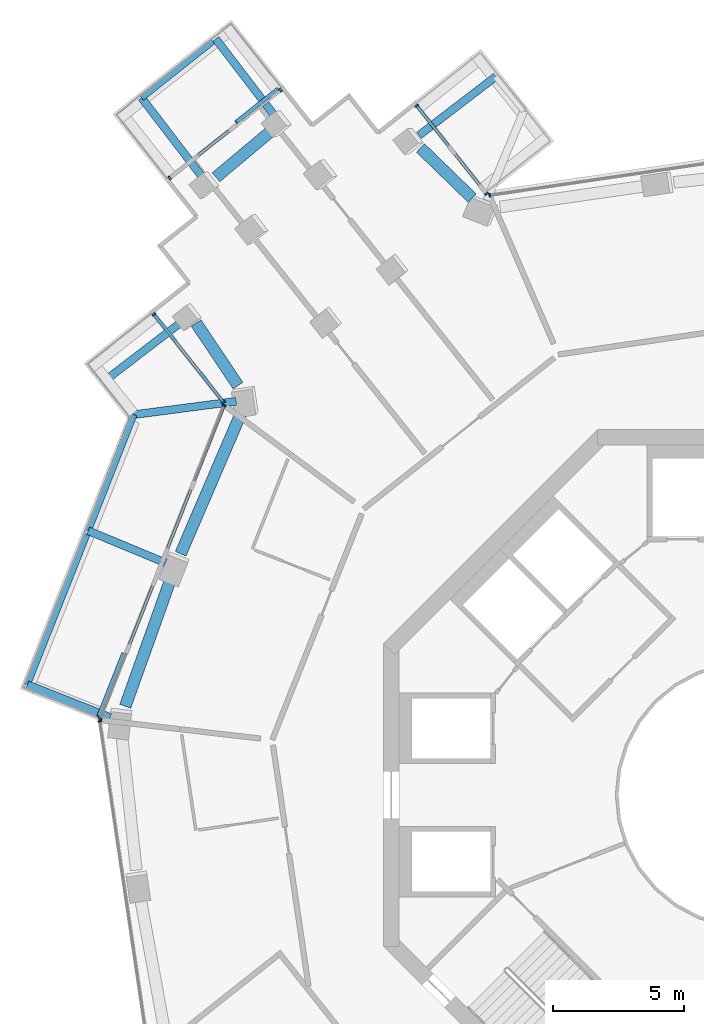
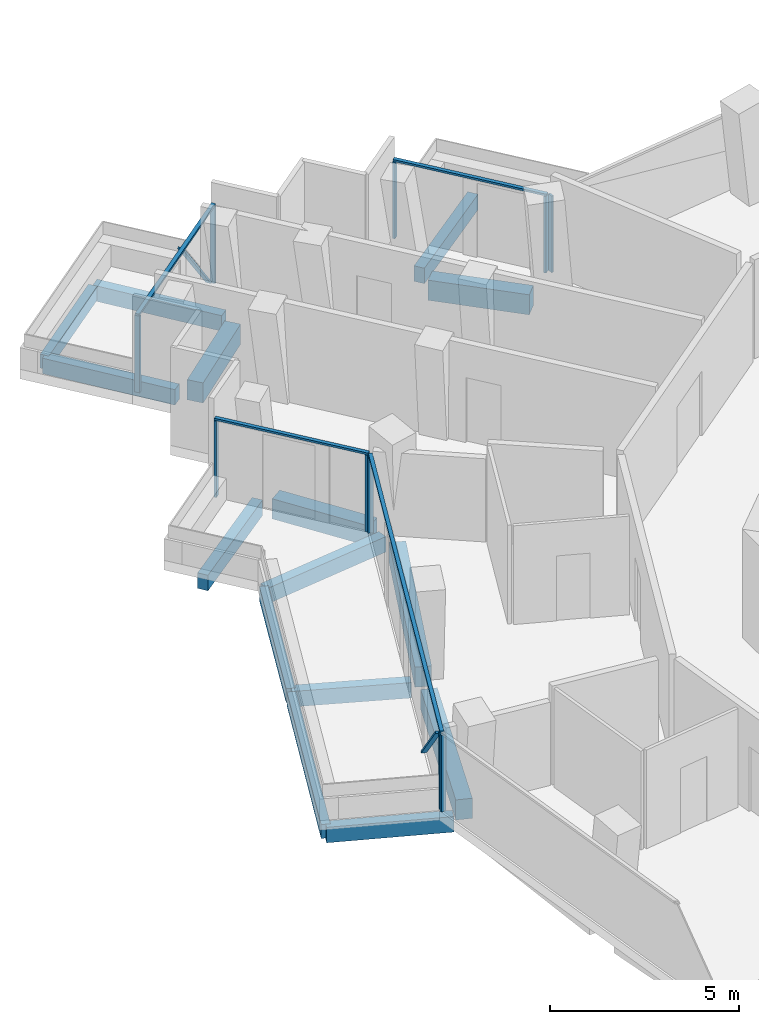
# One storey, part 6 of 21: 16 members, 15 beams, 6 elements without a shape of their own.
"""IFC4 building model written with IfcOpenShell, lengths in metres."""

from ifc_helpers import new_model, si_unit, direction, frame, origin, origin_2d, place, context, subcontext, project, spatial, rectangle, extrude, material, layer, layer_set, material_profile, profile_set, type_object, element, aggregate, save


model = new_model("IFC4")

# Units and contexts
model_context = context("Model", 3, precision=1e-05, world=origin(), true_north=direction((0.0, 1.0)))
body_context = subcontext(model_context, "Body", "Model", "MODEL_VIEW")
ifc_project = project(units=[si_unit("LENGTHUNIT", "METRE"), si_unit("AREAUNIT", "SQUARE_METRE"), si_unit("VOLUMEUNIT", "CUBIC_METRE"), si_unit("PLANEANGLEUNIT", "RADIAN"), si_unit("MASSUNIT", "GRAM", prefix="KILO")], contexts=[model_context])

# Site, building, storey
site_placement = place(None, origin())
site = spatial("IfcSite", under=ifc_project, at=site_placement, CompositionType="ELEMENT")
building_placement = place(site_placement, origin())
building = spatial("IfcBuilding", under=site, at=building_placement, Name="Verdalira Terraces Hotel", CompositionType="ELEMENT")
storey_placement = place(building_placement, frame((0.0, 0.0, 190.5)))
storey = spatial("IfcBuildingStorey", under=building, at=storey_placement, Name="L46", CompositionType="ELEMENT", Elevation=190.5)

# Beams
ifc_material_1 = material(Name="Concrete C40", Category="concrete")
ifc_material_profile_1 = material_profile(ifc_material_1, rectangle(XDim=0.300049, YDim=0.5, at=origin_2d()), Name="RC 300X500")
ifc_profile_set_1 = profile_set([ifc_material_profile_1], Name="Concrete C40")
beam_type_1 = type_object("IfcBeamType", Name="Balcony cantilever beam RC 300X500 C40", PredefinedType="BEAM", material=ifc_profile_set_1)
beam_1_placement = place(storey_placement, frame((-12.638916, 25.268799, -0.560059), z_axis=(0.793982227, 0.607940971, 0.0), x_axis=(-0.607940971, 0.793982227, 0.0)))
element("IfcBeam", 1, at=beam_1_placement, inside=storey, type_object=beam_type_1, Name="Balcony cantilever beam R00-2", PredefinedType="BEAM", context=body_context, shape_type="SweptSolid", body=[
    extrude(rectangle(XDim=0.300049, YDim=0.5, at=origin_2d()), origin(), (0.0, 0.0, 1.0), 3.709961),
])
beam_2_placement = place(storey_placement, frame((-18.174561, 26.024902, -0.560059), z_axis=(-0.607913104, 0.794003563, 0.0), x_axis=(-0.794003563, -0.607913104, 0.0)))
element("IfcBeam", 2, at=beam_2_placement, inside=storey, type_object=beam_type_1, Name="Balcony cantilever beam R05-1", PredefinedType="BEAM", context=body_context, shape_type="SweptSolid", body=[
    extrude(rectangle(XDim=0.300049, YDim=0.5, at=origin_2d()), origin(), (0.0, 0.0, 1.0), 3.698486),
])
beam_3_placement = place(storey_placement, frame((-20.954346, 23.687988, -0.560059), z_axis=(-0.60790987, 0.794006039, 0.0), x_axis=(-0.794006039, -0.60790987, 0.0)))
element("IfcBeam", 3, at=beam_3_placement, inside=storey, type_object=beam_type_1, Name="Balcony cantilever beam R05-2", PredefinedType="BEAM", context=body_context, shape_type="SweptSolid", body=[
    extrude(rectangle(XDim=0.300049, YDim=0.5, at=origin_2d()), origin(), (0.0, 0.0, 1.0), 3.803223),
])
beam_4_placement = place(storey_placement, frame((-19.64502, 15.081787, -0.560059), z_axis=(-0.9915811, -0.129487154, 0.0), x_axis=(0.129487154, -0.9915811, 0.0)))
element("IfcBeam", 4, at=beam_4_placement, inside=storey, type_object=beam_type_1, Name="Balcony cantilever beam R10-1", PredefinedType="BEAM", context=body_context, shape_type="SweptSolid", body=[
    extrude(rectangle(XDim=0.300049, YDim=0.5, at=origin_2d()), origin(), (0.0, 0.0, 1.0), 3.949951),
])
beam_5_placement = place(storey_placement, frame((-22.353271, 8.895264, -0.560059), z_axis=(-0.923471356, 0.383667376, 0.0), x_axis=(-0.383667376, -0.923471356, 0.0)))
element("IfcBeam", 5, at=beam_5_placement, inside=storey, type_object=beam_type_1, Name="Balcony cantilever beam R10-2", PredefinedType="BEAM", context=body_context, shape_type="SweptSolid", body=[
    extrude(rectangle(XDim=0.300049, YDim=0.5, at=origin_2d()), origin(), (0.0, 0.0, 1.0), 3.200684),
])
beam_6_placement = place(storey_placement, frame((-24.4729, 2.975342, -0.560059), z_axis=(-0.929799464, 0.368066511, 0.0), x_axis=(-0.368066511, -0.929799464, 0.0)))
element("IfcBeam", 6, at=beam_6_placement, inside=storey, type_object=beam_type_1, Name="Balcony cantilever beam R10-3", PredefinedType="BEAM", context=body_context, shape_type="SweptSolid", body=[
    extrude(rectangle(XDim=0.300049, YDim=0.5, at=origin_2d()), origin(), (0.0, 0.0, 1.0), 3.408691),
])
beam_7_placement = place(storey_placement, frame((-21.696533, 18.150879, -0.560059), z_axis=(-0.793955266, -0.607976181, 0.0), x_axis=(0.607976181, -0.793955266, 0.0)))
element("IfcBeam", 7, at=beam_7_placement, inside=storey, type_object=beam_type_1, Name="Balcony cantilever beam R10-4", PredefinedType="BEAM", context=body_context, shape_type="SweptSolid", body=[
    extrude(rectangle(XDim=0.300049, YDim=0.5, at=origin_2d()), origin(), (0.0, 0.0, 1.0), 3.771484),
])
ifc_material_2 = material(Name="Concrete C40", Category="concrete")
ifc_material_profile_2 = material_profile(ifc_material_2, rectangle(XDim=0.25, YDim=0.449951, at=origin_2d()), Name="RC 250X450")
ifc_profile_set_2 = profile_set([ifc_material_profile_2], Name="Concrete C40")
beam_type_2 = type_object("IfcBeamType", Name="Balcony edge beam RC 250X450 C40", PredefinedType="BEAM", material=ifc_profile_set_2)
beam_8_placement = place(storey_placement, frame((-20.540527, 28.868408, -0.534912), z_axis=(-0.783668513, -0.621179251, 0.0), x_axis=(0.621179251, -0.783668513, 0.0)))
element("IfcBeam", 8, at=beam_8_placement, inside=storey, type_object=beam_type_2, Name="Balcony edge beam R05-1", PredefinedType="BEAM", context=body_context, shape_type="SweptSolid", body=[
    extrude(rectangle(XDim=0.25, YDim=0.449951, at=origin_2d()), origin(), (0.0, 0.0, 1.0), 3.478271),
])
beam_9_placement = place(storey_placement, frame((-23.561768, 14.570312, -0.534912), z_axis=(-0.36570138, -0.930732239, 0.0), x_axis=(0.930732239, -0.36570138, 0.0)))
element("IfcBeam", 9, at=beam_9_placement, inside=storey, type_object=beam_type_2, Name="Balcony edge beam R10-1", PredefinedType="BEAM", context=body_context, shape_type="SweptSolid", body=[
    extrude(rectangle(XDim=0.25, YDim=0.449951, at=origin_2d()), origin(), (0.0, 0.0, 1.0), 4.778076),
])
beam_10_placement = place(storey_placement, frame((-25.364258, 9.983643, -0.534912), z_axis=(-0.368130167, -0.929774263, 0.0), x_axis=(0.929774263, -0.368130167, 0.0)))
element("IfcBeam", 10, at=beam_10_placement, inside=storey, type_object=beam_type_2, Name="Balcony edge beam R10-2", PredefinedType="BEAM", context=body_context, shape_type="SweptSolid", body=[
    extrude(rectangle(XDim=0.25, YDim=0.449951, at=origin_2d()), origin(), (0.0, 0.0, 1.0), 6.188232),
])

# Curtain wall, members
ifc_material_3 = material(Name="Clear glass", Category="glass")
ifc_layer_1 = layer(ifc_material_3, 0.14990234375)
ifc_layer_set_1 = layer_set([ifc_layer_1], Name="CW1 curtain wall")
curtain_wall_type_1 = type_object("IfcCurtainWallType", Name="CW1 curtain wall", PredefinedType="NOTDEFINED", material=ifc_layer_set_1)
curtain_wall_1_placement = place(storey_placement, origin())
curtain_wall_1 = element("IfcCurtainWall", 11, at=curtain_wall_1_placement, inside=storey, type_object=curtain_wall_type_1, Name="CW1 curtain wall L46 edge 11", PredefinedType="NOTDEFINED")
ifc_material_4 = material(Name="Terracotta frame", Category="masonry")
ifc_material_profile_3 = material_profile(ifc_material_4, rectangle(XDim=0.060059, YDim=0.149902, at=origin_2d()), Name="MU 60x150")
ifc_profile_set_3 = profile_set([ifc_material_profile_3], Name="Terracotta frame")
member_type_1 = type_object("IfcMemberType", Name="CW1 mullion 60x150", PredefinedType="MULLION", material=ifc_profile_set_3)
member_1_placement = place(storey_placement, frame((-20.103271, 14.918213, 0.0), z_axis=(0.0, 0.0, 1.0), x_axis=(-0.368124553, -0.929776486, 0.0)))
member_1 = element("IfcMember", 12, at=member_1_placement, type_object=member_type_1, Name="CW1 mullion", PredefinedType="MULLION", context=body_context, shape_type="SweptSolid", body=[
    extrude(rectangle(XDim=0.060059, YDim=0.149902, at=origin_2d()), origin(), (0.0, 0.0, 1.0), 2.475098),
])
member_2_placement = place(storey_placement, frame((-24.852051, 2.924072, 0.0), z_axis=(0.0, 0.0, 1.0), x_axis=(-0.368124553, -0.929776486, 0.0)))
member_2 = element("IfcMember", 13, at=member_2_placement, type_object=member_type_1, Name="CW1 mullion", PredefinedType="MULLION", context=body_context, shape_type="SweptSolid", body=[
    extrude(rectangle(XDim=0.060059, YDim=0.149902, at=origin_2d()), origin(), (0.0, 0.0, 1.0), 2.475098),
])

# Curtain wall, member
curtain_wall_2_placement = place(storey_placement, origin())
curtain_wall_2 = element("IfcCurtainWall", 14, at=curtain_wall_2_placement, inside=storey, type_object=curtain_wall_type_1, Name="CW1 curtain wall L46 edge 12", PredefinedType="NOTDEFINED")
member_3_placement = place(storey_placement, frame((-24.863281, 2.828125, 0.0), z_axis=(0.0, 0.0, 1.0), x_axis=(0.146083029, -0.989272333, 0.0)))
member_3 = element("IfcMember", 15, at=member_3_placement, type_object=member_type_1, Name="CW1 mullion", PredefinedType="MULLION", context=body_context, shape_type="SweptSolid", body=[
    extrude(rectangle(XDim=0.060059, YDim=0.149902, at=origin_2d()), origin(), (0.0, 0.0, 1.0), 2.475098),
])
aggregate(curtain_wall_2, [member_3])

curtain_wall_3_placement = place(storey_placement, origin())
curtain_wall_3 = element("IfcCurtainWall", 16, at=curtain_wall_3_placement, inside=storey, type_object=curtain_wall_type_1, Name="CW1 curtain wall L46 edge 41", PredefinedType="NOTDEFINED")
member_4_placement = place(storey_placement, frame((-9.93335, 22.97876, 0.0), z_axis=(0.0, 0.0, 1.0), x_axis=(-0.989272333, -0.146083029, 0.0)))
member_4 = element("IfcMember", 17, at=member_4_placement, type_object=member_type_1, Name="CW1 mullion", PredefinedType="MULLION", context=body_context, shape_type="SweptSolid", body=[
    extrude(rectangle(XDim=0.060059, YDim=0.149902, at=origin_2d()), origin(), (0.0, 0.0, 1.0), 2.475098),
])
aggregate(curtain_wall_3, [member_4])

# Member
ifc_material_5 = material(Name="Terracotta frame", Category="masonry")
ifc_material_profile_4 = material_profile(ifc_material_5, rectangle(XDim=0.110107, YDim=0.064941, at=origin_2d()), Name="TR 65x110")
ifc_profile_set_4 = profile_set([ifc_material_profile_4], Name="Terracotta frame")
member_type_2 = type_object("IfcMemberType", Name="CW1 transom 65x110", PredefinedType="USERDEFINED", material=ifc_profile_set_4)
member_5_placement = place(storey_placement, frame((-20.092285, 14.946045, 2.507568), z_axis=(-0.368117667, -0.929779212, 0.0), x_axis=(0.929779212, -0.368117667, 0.0)))
member_5 = element("IfcMember", 18, at=member_5_placement, type_object=member_type_2, Name="CW1 transom", ObjectType="TRANSOM", PredefinedType="USERDEFINED", context=body_context, shape_type="SweptSolid", body=[
    extrude(rectangle(XDim=0.110107, YDim=0.064941, at=origin_2d()), origin(), (0.0, 0.0, 1.0), 12.959961),
])

# Curtain wall, members
ifc_material_6 = material(Name="Clear glass", Category="glass")
ifc_layer_2 = layer(ifc_material_6, 0.14990234375)
ifc_layer_set_2 = layer_set([ifc_layer_2], Name="CW2 curtain wall")
curtain_wall_type_2 = type_object("IfcCurtainWallType", Name="CW2 curtain wall", PredefinedType="NOTDEFINED", material=ifc_layer_set_2)
curtain_wall_4_placement = place(storey_placement, origin())
curtain_wall_4 = element("IfcCurtainWall", 19, at=curtain_wall_4_placement, inside=storey, type_object=curtain_wall_type_2, Name="CW2 curtain wall L46 edge 0", PredefinedType="NOTDEFINED")
ifc_material_7 = material(Name="Terracotta frame", Category="masonry")
ifc_material_profile_5 = material_profile(ifc_material_7, rectangle(XDim=0.070068, YDim=0.149902, at=origin_2d()), Name="MU 70x150")
ifc_profile_set_5 = profile_set([ifc_material_profile_5], Name="Terracotta frame")
member_type_3 = type_object("IfcMemberType", Name="CW2 mullion 70x150", PredefinedType="MULLION", material=ifc_profile_set_5)
member_6_placement = place(storey_placement, frame((-10.054443, 23.029297, 0.0), z_axis=(0.0, 0.0, 1.0), x_axis=(-0.62114778, 0.783693457, 0.0)))
member_6 = element("IfcMember", 20, at=member_6_placement, type_object=member_type_3, Name="CW2 mullion", PredefinedType="MULLION", context=body_context, shape_type="SweptSolid", body=[
    extrude(rectangle(XDim=0.070068, YDim=0.149902, at=origin_2d()), origin(), (0.0, 0.0, 1.0), 2.475098),
])
member_7_placement = place(storey_placement, frame((-12.728027, 26.402588, 0.0), z_axis=(0.0, 0.0, 1.0), x_axis=(-0.62114778, 0.783693457, 0.0)))
member_7 = element("IfcMember", 21, at=member_7_placement, type_object=member_type_3, Name="CW2 mullion", PredefinedType="MULLION", context=body_context, shape_type="SweptSolid", body=[
    extrude(rectangle(XDim=0.070068, YDim=0.149902, at=origin_2d()), origin(), (0.0, 0.0, 1.0), 2.475098),
])

curtain_wall_5_placement = place(storey_placement, origin())
curtain_wall_5 = element("IfcCurtainWall", 22, at=curtain_wall_5_placement, inside=storey, type_object=curtain_wall_type_2, Name="CW2 curtain wall L46 edge 10", PredefinedType="NOTDEFINED")
member_8_placement = place(storey_placement, frame((-22.798584, 18.420898, 0.0), z_axis=(0.0, 0.0, 1.0), x_axis=(0.62114778, -0.783693457, 0.0)))
member_8 = element("IfcMember", 23, at=member_8_placement, type_object=member_type_3, Name="CW2 mullion", PredefinedType="MULLION", context=body_context, shape_type="SweptSolid", body=[
    extrude(rectangle(XDim=0.070068, YDim=0.149902, at=origin_2d()), origin(), (0.0, 0.0, 1.0), 2.475098),
])
member_9_placement = place(storey_placement, frame((-20.125, 15.047607, 0.0), z_axis=(0.0, 0.0, 1.0), x_axis=(0.62114778, -0.783693457, 0.0)))
member_9 = element("IfcMember", 24, at=member_9_placement, type_object=member_type_3, Name="CW2 mullion", PredefinedType="MULLION", context=body_context, shape_type="SweptSolid", body=[
    extrude(rectangle(XDim=0.070068, YDim=0.149902, at=origin_2d()), origin(), (0.0, 0.0, 1.0), 2.475098),
])

# Member
ifc_material_8 = material(Name="Terracotta frame", Category="masonry")
ifc_material_profile_6 = material_profile(ifc_material_8, rectangle(XDim=0.11499, YDim=0.064941, at=origin_2d()), Name="TR 65x115")
ifc_profile_set_6 = profile_set([ifc_material_profile_6], Name="Terracotta frame")
member_type_4 = type_object("IfcMemberType", Name="CW2 transom 65x115", PredefinedType="USERDEFINED", material=ifc_profile_set_6)
member_10_placement = place(storey_placement, frame((-10.032715, 23.001953, 2.507568), z_axis=(-0.621156026, 0.783686922, 0.0), x_axis=(-0.783686922, -0.621156026, 0.0)))
member_10 = element("IfcMember", 25, at=member_10_placement, type_object=member_type_4, Name="CW2 transom", ObjectType="TRANSOM", PredefinedType="USERDEFINED", context=body_context, shape_type="SweptSolid", body=[
    extrude(rectangle(XDim=0.11499, YDim=0.064941, at=origin_2d()), origin(), (0.0, 0.0, 1.0), 4.374268),
])

aggregate(curtain_wall_4, [member_6, member_7, member_10])

member_11_placement = place(storey_placement, frame((-22.820312, 18.448242, 2.507568), z_axis=(0.621156026, -0.783686922, 0.0), x_axis=(0.783686922, 0.621156026, 0.0)))
member_11 = element("IfcMember", 26, at=member_11_placement, type_object=member_type_4, Name="CW2 transom", ObjectType="TRANSOM", PredefinedType="USERDEFINED", context=body_context, shape_type="SweptSolid", body=[
    extrude(rectangle(XDim=0.11499, YDim=0.064941, at=origin_2d()), origin(), (0.0, 0.0, 1.0), 4.374268),
])

aggregate(curtain_wall_5, [member_8, member_9, member_11])

# Curtain wall, members
ifc_material_9 = material(Name="Clear glass", Category="glass")
ifc_layer_3 = layer(ifc_material_9, 0.14990234375)
ifc_layer_set_3 = layer_set([ifc_layer_3], Name="CW3 curtain wall")
curtain_wall_type_3 = type_object("IfcCurtainWallType", Name="CW3 curtain wall", PredefinedType="NOTDEFINED", material=ifc_layer_set_3)
curtain_wall_6_placement = place(storey_placement, origin())
curtain_wall_6 = element("IfcCurtainWall", 27, at=curtain_wall_6_placement, inside=storey, type_object=curtain_wall_type_3, Name="CW3 curtain wall L46 edge 5", PredefinedType="NOTDEFINED")
ifc_material_10 = material(Name="Terracotta frame", Category="masonry")
ifc_material_profile_7 = material_profile(ifc_material_10, rectangle(XDim=0.080078, YDim=0.149902, at=origin_2d()), Name="MU 80x150")
ifc_profile_set_7 = profile_set([ifc_material_profile_7], Name="Terracotta frame")
member_type_5 = type_object("IfcMemberType", Name="CW3 mullion 80x150", PredefinedType="MULLION", material=ifc_profile_set_7)
member_12_placement = place(storey_placement, frame((-17.944092, 27.002441, 0.0), z_axis=(0.0, 0.0, 1.0), x_axis=(-0.783693457, -0.62114778, 0.0)))
member_12 = element("IfcMember", 28, at=member_12_placement, type_object=member_type_5, Name="CW3 mullion", PredefinedType="MULLION", context=body_context, shape_type="SweptSolid", body=[
    extrude(rectangle(XDim=0.080078, YDim=0.149902, at=origin_2d()), origin(), (0.0, 0.0, 1.0), 2.475098),
])
member_13_placement = place(storey_placement, frame((-22.19165, 23.635986, 0.0), z_axis=(0.0, 0.0, 1.0), x_axis=(-0.783693457, -0.62114778, 0.0)))
member_13 = element("IfcMember", 29, at=member_13_placement, type_object=member_type_5, Name="CW3 mullion", PredefinedType="MULLION", context=body_context, shape_type="SweptSolid", body=[
    extrude(rectangle(XDim=0.080078, YDim=0.149902, at=origin_2d()), origin(), (0.0, 0.0, 1.0), 2.475098),
])
ifc_material_11 = material(Name="Terracotta frame", Category="masonry")
ifc_material_profile_8 = material_profile(ifc_material_11, rectangle(XDim=0.120117, YDim=0.064941, at=origin_2d()), Name="TR 65x120")
ifc_profile_set_8 = profile_set([ifc_material_profile_8], Name="Terracotta frame")
member_type_6 = type_object("IfcMemberType", Name="CW3 transom 65x120", PredefinedType="USERDEFINED", material=ifc_profile_set_8)
member_14_placement = place(storey_placement, frame((-17.912598, 27.027344, 2.507568), z_axis=(-0.783697359, -0.621142857, 0.0), x_axis=(0.621142857, -0.783697359, 0.0)))
member_14 = element("IfcMember", 30, at=member_14_placement, type_object=member_type_6, Name="CW3 transom", ObjectType="TRANSOM", PredefinedType="USERDEFINED", context=body_context, shape_type="SweptSolid", body=[
    extrude(rectangle(XDim=0.120117, YDim=0.064941, at=origin_2d()), origin(), (0.0, 0.0, 1.0), 5.5),
])
ifc_material_12 = material(Name="Terracotta frame", Category="masonry")
ifc_material_profile_9 = material_profile(ifc_material_12, rectangle(XDim=0.149902, YDim=0.060059, at=origin_2d()), Name="GB 60x150")
ifc_profile_set_9 = profile_set([ifc_material_profile_9], Name="Terracotta frame")
member_type_7 = type_object("IfcMemberType", Name="Diagonal glazing bar 60x150", PredefinedType="USERDEFINED", material=ifc_profile_set_9)
member_15_placement = place(storey_placement, frame((-18.052002, 27.035645, 0.028809), z_axis=(-0.504257648, -0.399648541, 0.765509809), x_axis=(0.621127595, -0.783709455, 0.0)))
member_15 = element("IfcMember", 31, at=member_15_placement, type_object=member_type_7, Name="Diagonal glazing bar", ObjectType="GLAZING BAR", PredefinedType="USERDEFINED", context=body_context, shape_type="SweptSolid", body=[
    extrude(rectangle(XDim=0.149902, YDim=0.060059, at=origin_2d()), origin(), (0.0, 0.0, 1.0), 3.157715),
])
aggregate(curtain_wall_6, [member_12, member_13, member_14, member_15])

# Member
member_16_placement = place(storey_placement, frame((-23.96167, 5.415039, 0.023193), z_axis=(-0.268441932, -0.678154611, 0.684138328), x_axis=(0.929803924, -0.368055245, 0.0)))
member_16 = element("IfcMember", 32, at=member_16_placement, type_object=member_type_7, Name="Diagonal glazing bar", ObjectType="GLAZING BAR", PredefinedType="USERDEFINED", context=body_context, shape_type="SweptSolid", body=[
    extrude(rectangle(XDim=0.149902, YDim=0.060059, at=origin_2d()), origin(), (0.0, 0.0, 1.0), 3.549561),
])

aggregate(curtain_wall_1, [member_1, member_2, member_5, member_16])

# Beams
ifc_material_13 = material(Name="Concrete C50", Category="concrete")
ifc_material_profile_10 = material_profile(ifc_material_13, rectangle(XDim=0.449951, YDim=0.649902, at=origin_2d()), Name="RC 450X650")
ifc_profile_set_10 = profile_set([ifc_material_profile_10], Name="Concrete C50")
beam_type_3 = type_object("IfcBeamType", Name="Spandrel beam RC 450X650 C50", PredefinedType="SPANDREL", material=ifc_profile_set_10)
beam_11_placement = place(storey_placement, frame((-10.599854, 22.861328, -0.63501), z_axis=(-0.717452148, 0.696607792, 0.0), x_axis=(-0.696607792, -0.717452148, 0.0)))
element("IfcBeam", 33, at=beam_11_placement, inside=storey, type_object=beam_type_3, Name="Spandrel beam B01", PredefinedType="SPANDREL", context=body_context, shape_type="SweptSolid", body=[
    extrude(rectangle(XDim=0.449951, YDim=0.649902, at=origin_2d()), origin(), (0.0, 0.0, 1.0), 2.76416),
])
beam_12_placement = place(storey_placement, frame((-18.191895, 25.528076, -0.63501), z_axis=(-0.766473459, -0.642275981, 0.0), x_axis=(0.642275981, -0.766473459, 0.0)))
element("IfcBeam", 34, at=beam_12_placement, inside=storey, type_object=beam_type_3, Name="Spandrel beam B02", PredefinedType="SPANDREL", context=body_context, shape_type="SweptSolid", body=[
    extrude(rectangle(XDim=0.449951, YDim=0.649902, at=origin_2d()), origin(), (0.0, 0.0, 1.0), 2.901367),
])
beam_13_placement = place(storey_placement, frame((-21.173584, 18.075684, -0.63501), z_axis=(0.556186754, -0.831057335, 0.0), x_axis=(0.831057335, 0.556186754, 0.0)))
element("IfcBeam", 35, at=beam_13_placement, inside=storey, type_object=beam_type_3, Name="Spandrel beam B03", PredefinedType="SPANDREL", context=body_context, shape_type="SweptSolid", body=[
    extrude(rectangle(XDim=0.449951, YDim=0.649902, at=origin_2d()), origin(), (0.0, 0.0, 1.0), 2.878662),
])
beam_14_placement = place(storey_placement, frame((-19.475098, 14.580811, -0.63501), z_axis=(-0.394846631, -0.918747048, 0.0), x_axis=(0.918747048, -0.394846631, 0.0)))
element("IfcBeam", 36, at=beam_14_placement, inside=storey, type_object=beam_type_3, Name="Spandrel beam B04", PredefinedType="SPANDREL", context=body_context, shape_type="SweptSolid", body=[
    extrude(rectangle(XDim=0.449951, YDim=0.649902, at=origin_2d()), origin(), (0.0, 0.0, 1.0), 5.813477),
])
beam_15_placement = place(storey_placement, frame((-22.144775, 8.286621, -0.63501), z_axis=(-0.336717857, -0.941605589, 0.0), x_axis=(0.941605589, -0.336717857, 0.0)))
element("IfcBeam", 37, at=beam_15_placement, inside=storey, type_object=beam_type_3, Name="Spandrel beam B05", PredefinedType="SPANDREL", context=body_context, shape_type="SweptSolid", body=[
    extrude(rectangle(XDim=0.449951, YDim=0.649902, at=origin_2d()), origin(), (0.0, 0.0, 1.0), 5.189209),
])

save(model, "model.ifc")
